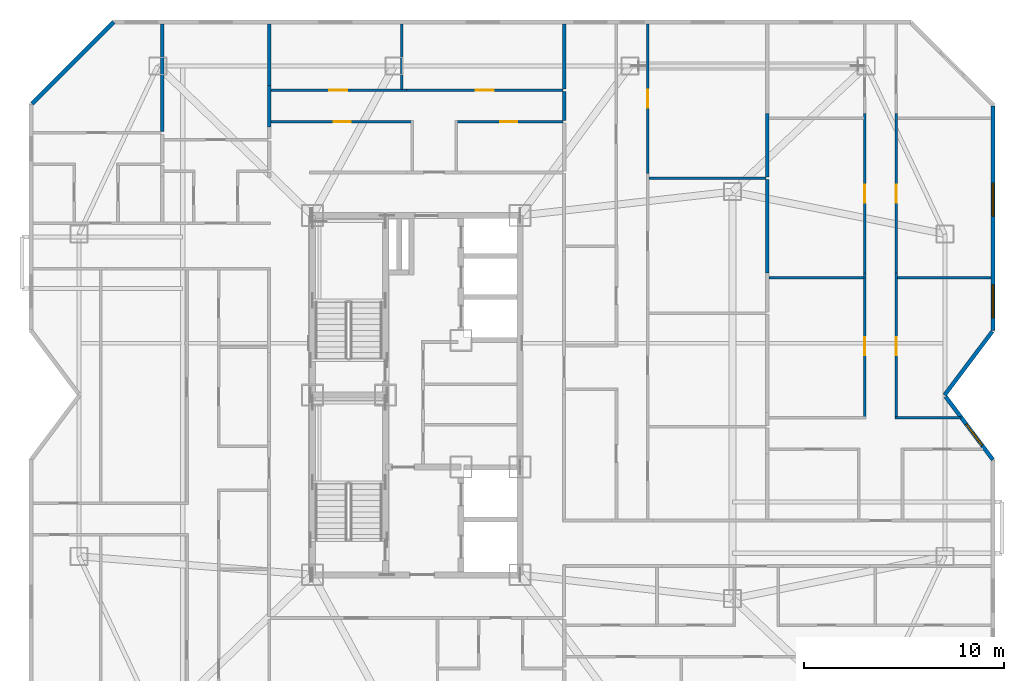
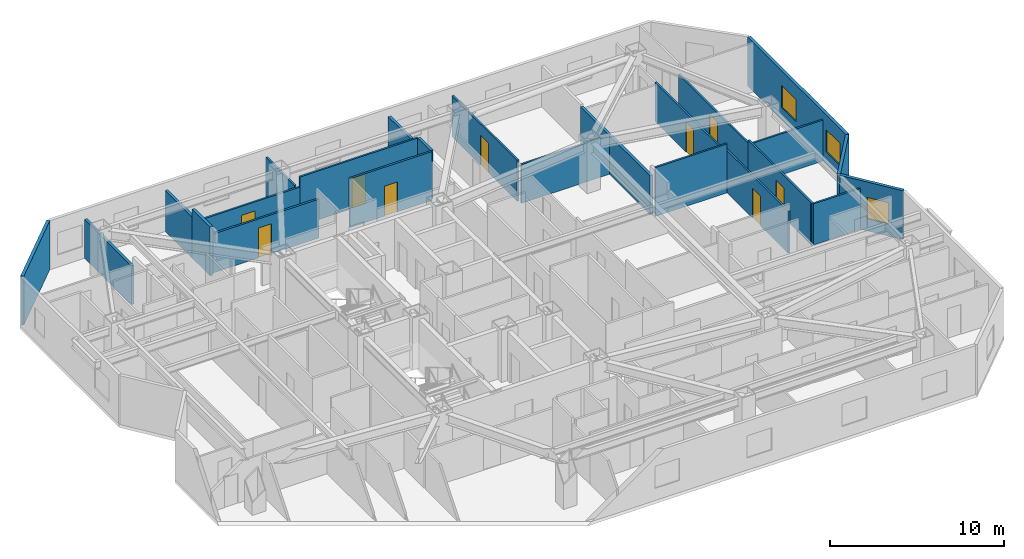
# One storey, part 10 of 12: 25 walls, 9 doors, 3 windows, 12 openings.
"""IFC4 building model written with IfcOpenShell, lengths in metres."""

from ifc_helpers import new_model, si_unit, direction, frame, frame_2d, origin, place, context, subcontext, project, spatial, rectangle, extrude, material, layer, layer_set, type_object, element, fill, save


model = new_model("IFC4")

# Units and contexts
model_context = context("Model", 3, precision=1e-05, world=origin(), true_north=direction((0.0, 1.0)))
body_context = subcontext(model_context, "Body", "Model", "MODEL_VIEW")
ifc_project = project(units=[si_unit("LENGTHUNIT", "METRE"), si_unit("AREAUNIT", "SQUARE_METRE"), si_unit("VOLUMEUNIT", "CUBIC_METRE"), si_unit("PLANEANGLEUNIT", "RADIAN"), si_unit("MASSUNIT", "GRAM", prefix="KILO")], contexts=[model_context])

# Site, building, storey
site_placement = place(None, origin())
site = spatial("IfcSite", under=ifc_project, at=site_placement, CompositionType="ELEMENT")
building_placement = place(site_placement, origin())
building = spatial("IfcBuilding", under=site, at=building_placement, Name="Khamvora Tower", CompositionType="ELEMENT")
storey_placement = place(building_placement, frame((0.0, 0.0, 188.75)))
storey = spatial("IfcBuildingStorey", under=building, at=storey_placement, Name="L48", CompositionType="ELEMENT", Elevation=188.75)

# Walls
ifc_material_1 = material(Name="Acoustic Double-Stud Fire Wall", Category="gypsum")
ifc_layer_1 = layer(ifc_material_1, 0.179931640625)
ifc_layer_set_1 = layer_set([ifc_layer_1], Name="Acoustic Double-Stud Fire Wall")
wall_type_1 = type_object("IfcWallType", Name="WAL-CORR-180", PredefinedType="STANDARD", material=ifc_layer_set_1)
wall_1_placement = place(storey_placement, frame((21.47509765625, 46.60791015625, 0.0), z_axis=(0.0, 0.0, 1.0), x_axis=(0.0, -1.0, 0.0)))
element("IfcWall", 1, at=wall_1_placement, inside=storey, type_object=wall_type_1, Name="L48 interior partition wall 072", PredefinedType="STANDARD", context=body_context, shape_type="SweptSolid", body=[
    extrude(rectangle(XDim=5.39599609375, YDim=0.179931640625, at=frame_2d((2.697998046875, 0.0))), origin(), (0.0, 0.0, 1.0), 2.72509765625),
])
wall_2_placement = place(storey_placement, frame((26.8349609375, 43.52392578125, 0.0), z_axis=(0.0, 0.0, 1.0), x_axis=(0.0, -1.0, 0.0)))
element("IfcWall", 2, at=wall_2_placement, inside=storey, type_object=wall_type_1, Name="L48 interior partition wall 080", PredefinedType="STANDARD", context=body_context, shape_type="SweptSolid", body=[
    extrude(rectangle(XDim=2.077880859375, YDim=0.179931640625, at=frame_2d((1.0390625, 0.0))), origin(), (0.0, 0.0, 1.0), 3.429931640625),
])
wall_3_placement = place(storey_placement, frame((26.8349609375, 46.60791015625, 0.0), z_axis=(0.0, 0.0, 1.0), x_axis=(0.0, -1.0, 0.0)))
element("IfcWall", 3, at=wall_3_placement, inside=storey, type_object=wall_type_1, Name="L48 interior partition wall 082", PredefinedType="STANDARD", context=body_context, shape_type="SweptSolid", body=[
    extrude(rectangle(XDim=3.083984375, YDim=0.179931640625, at=frame_2d((1.5419921875, 0.0))), origin(), (0.0, 0.0, 1.0), 2.8759765625),
])
wall_4_placement = place(storey_placement, frame((41.614990234375, 43.2099609375, 0.0), z_axis=(0.0, 0.0, 1.0), x_axis=(0.0, -1.0, 0.0)))
element("IfcWall", 4, at=wall_4_placement, inside=storey, type_object=wall_type_1, Name="L48 interior partition wall 099", PredefinedType="STANDARD", context=body_context, shape_type="SweptSolid", body=[
    extrude(rectangle(XDim=1.449951171875, YDim=0.179931640625, at=frame_2d((0.72509765625, 0.0))), origin(), (0.0, 0.0, 1.0), 3.429931640625),
])
wall_5_placement = place(storey_placement, frame((41.614990234375, 46.60791015625, 0.0), z_axis=(0.0, 0.0, 1.0), x_axis=(0.0, -1.0, 0.0)))
element("IfcWall", 5, at=wall_5_placement, inside=storey, type_object=wall_type_1, Name="L48 interior partition wall 102", PredefinedType="STANDARD", context=body_context, shape_type="SweptSolid", body=[
    extrude(rectangle(XDim=3.267822265625, YDim=0.179931640625, at=frame_2d((1.6337890625, 0.0))), origin(), (0.0, 0.0, 1.0), 2.8759765625),
])
wall_6_placement = place(storey_placement, frame((51.784912109375, 38.800048828125, 0.0), z_axis=(0.0, 0.0, 1.0), x_axis=(0.0, -1.0, 0.0)))
element("IfcWall", 6, at=wall_6_placement, inside=storey, type_object=wall_type_1, Name="L48 interior partition wall 136", PredefinedType="STANDARD", context=body_context, shape_type="SweptSolid", body=[
    extrude(rectangle(XDim=4.674072265625, YDim=0.179931640625, at=frame_2d((2.3369140625, 0.0))), origin(), (0.0, 0.0, 1.0), 2.72509765625),
])
wall_7_placement = place(storey_placement, frame((51.784912109375, 42.1220703125, 0.0), z_axis=(0.0, 0.0, 1.0), x_axis=(0.0, -1.0, 0.0)))
element("IfcWall", 7, at=wall_7_placement, inside=storey, type_object=wall_type_1, Name="L48 interior partition wall 137", PredefinedType="STANDARD", context=body_context, shape_type="SweptSolid", body=[
    extrude(rectangle(XDim=3.192138671875, YDim=0.179931640625, at=frame_2d((1.59619140625, 0.0))), origin(), (0.0, 0.0, 1.0), 2.72509765625),
])
ifc_material_2 = material(Name="Precast concrete C40/50", Category="concrete")
ifc_layer_2 = layer(ifc_material_2, 0.199951171875)
ifc_layer_set_2 = layer_set([ifc_layer_2], Name="Precast concrete C40/50")
wall_type_2 = type_object("IfcWallType", Name="WAL-EXT-200", PredefinedType="STANDARD", material=ifc_layer_set_2)
wall_8_placement = place(storey_placement, frame((14.945068359375, 42.60400390625, 0.0), z_axis=(0.0, 0.0, 1.0), x_axis=(0.707106781187, 0.707106781187, 0.0)))
element("IfcWall", 8, at=wall_8_placement, inside=storey, type_object=wall_type_2, Name="L48 exterior facade wall 06.1", PredefinedType="STANDARD", context=body_context, shape_type="SweptSolid", body=[
    extrude(rectangle(XDim=5.79248046875, YDim=0.199951171875, at=frame_2d((2.896240234375, 0.0))), origin(), (0.0, 0.0, 1.0), 3.429931640625),
])

# Wall, openings, windows
wall_9_placement = place(storey_placement, frame((63.10009765625, 42.49609375, 0.0), z_axis=(0.0, 0.0, 1.0), x_axis=(0.0, -1.0, 0.0)))
wall_9 = element("IfcWall", 9, at=wall_9_placement, inside=storey, type_object=wall_type_2, Name="L48 exterior facade wall 09.1", PredefinedType="STANDARD", context=body_context, shape_type="SweptSolid", body=[
    extrude(rectangle(XDim=11.26318359375, YDim=0.199951171875, at=frame_2d((5.631591796875, 0.0))), origin(), (0.0, 0.0, 1.0), 3.429931640625),
])
opening_1_placement = place(wall_9_placement, frame((8.97412109375, 0.0, 0.85009765625)))
opening_1 = element("IfcOpeningElement", 10, at=opening_1_placement, cuts=wall_9, Name="Opening WN-06", PredefinedType="OPENING", context=body_context, shape_type="SweptSolid", body=[
    extrude(rectangle(XDim=1.64990234375, YDim=1.550048828125, at=frame_2d((0.824951171875, 0.77490234375))), frame((0.0, 0.10986328125, 0.0), z_axis=(0.0, -1.0, 0.0), x_axis=(1.0, 0.0, 0.0)), (0.0, 0.0, 1.0), 0.219970703125),
])
opening_2_placement = place(wall_9_placement, frame((3.876953125, 0.0, 0.85009765625)))
opening_2 = element("IfcOpeningElement", 11, at=opening_2_placement, cuts=wall_9, Name="Opening WN-06", PredefinedType="OPENING", context=body_context, shape_type="SweptSolid", body=[
    extrude(rectangle(XDim=1.64990234375, YDim=1.550048828125, at=frame_2d((0.824951171875, 0.77490234375))), frame((0.0, 0.10986328125, 0.0), z_axis=(0.0, -1.0, 0.0), x_axis=(1.0, 0.0, 0.0)), (0.0, 0.0, 1.0), 0.219970703125),
])
ifc_material_3 = material(Name="Low-E Laminated Double Glazing", Category="glass")
window_type_1 = type_object("IfcWindowType", Name="WIN-VIS-1650x1550", PartitioningType="SINGLE_PANEL", PredefinedType="WINDOW", material=ifc_material_3)
window_1_placement = place(opening_1_placement, origin())
window_1 = element("IfcWindow", 12, at=window_1_placement, inside=storey, type_object=window_type_1, Name="L48 vision window 09.1.01", OverallHeight=1.550048828125, OverallWidth=1.64990234375, PartitioningType="SINGLE_PANEL", PredefinedType="WINDOW", context=body_context, shape_type="SweptSolid", body=[
    extrude(rectangle(XDim=1.64990234375, YDim=1.550048828125, at=frame_2d((0.824951171875, 0.77490234375))), frame((0.0, 0.030029296875, 0.0), z_axis=(0.0, -1.0, 0.0), x_axis=(1.0, 0.0, 0.0)), (0.0, 0.0, 1.0), 0.06005859375),
])
fill(opening_1, window_1)
window_2_placement = place(opening_2_placement, origin())
window_2 = element("IfcWindow", 13, at=window_2_placement, inside=storey, type_object=window_type_1, Name="L48 vision window 09.1.02", OverallHeight=1.550048828125, OverallWidth=1.64990234375, PartitioningType="SINGLE_PANEL", PredefinedType="WINDOW", context=body_context, shape_type="SweptSolid", body=[
    extrude(rectangle(XDim=1.64990234375, YDim=1.550048828125, at=frame_2d((0.824951171875, 0.77490234375))), frame((0.0, 0.030029296875, 0.0), z_axis=(0.0, -1.0, 0.0), x_axis=(1.0, 0.0, 0.0)), (0.0, 0.0, 1.0), 0.06005859375),
])
fill(opening_2, window_2)

# Wall
wall_10_placement = place(storey_placement, frame((63.069091796875, 31.19091796875, 0.0), z_axis=(0.0, 0.0, 1.0), x_axis=(-0.600137081448, -0.799897170561, 0.0)))
element("IfcWall", 14, at=wall_10_placement, inside=storey, type_object=wall_type_2, Name="L48 exterior facade wall 10.1", PredefinedType="STANDARD", context=body_context, shape_type="SweptSolid", body=[
    extrude(rectangle(XDim=3.9892578125, YDim=0.199951171875, at=frame_2d((1.99462890625, 0.0))), origin(), (0.0, 0.0, 1.0), 3.429931640625),
])

# Wall, opening, window
wall_11_placement = place(storey_placement, frame((60.72705078125, 27.930908203125, 0.0), z_axis=(0.0, 0.0, 1.0), x_axis=(0.600029630681, -0.799977776132, 0.0)))
wall_11 = element("IfcWall", 15, at=wall_11_placement, inside=storey, type_object=wall_type_2, Name="L48 exterior facade wall 11.1", PredefinedType="STANDARD", context=body_context, shape_type="SweptSolid", body=[
    extrude(rectangle(XDim=3.954833984375, YDim=0.199951171875, at=frame_2d((1.9775390625, 0.0))), origin(), (0.0, 0.0, 1.0), 3.429931640625),
])
opening_3_placement = place(wall_11_placement, frame((1.721923828125, 0.0, 0.85009765625)))
opening_3 = element("IfcOpeningElement", 16, at=opening_3_placement, cuts=wall_11, Name="Opening WN-07", PredefinedType="OPENING", context=body_context, shape_type="SweptSolid", body=[
    extrude(rectangle(XDim=1.35009765625, YDim=1.5, at=frame_2d((0.675048828125, 0.75))), frame((0.0, 0.10986328125, 0.0), z_axis=(0.0, -1.0, 0.0), x_axis=(1.0, 0.0, 0.0)), (0.0, 0.0, 1.0), 0.219970703125),
])
window_type_2 = type_object("IfcWindowType", Name="WIN-VIS-1350x1500", PartitioningType="SINGLE_PANEL", PredefinedType="WINDOW", material=ifc_material_3)
window_3_placement = place(opening_3_placement, origin())
window_3 = element("IfcWindow", 17, at=window_3_placement, inside=storey, type_object=window_type_2, Name="L48 vision window 11.1.01", OverallHeight=1.5, OverallWidth=1.35009765625, PartitioningType="SINGLE_PANEL", PredefinedType="WINDOW", context=body_context, shape_type="SweptSolid", body=[
    extrude(rectangle(XDim=1.35009765625, YDim=1.5, at=frame_2d((0.675048828125, 0.75))), frame((0.0, 0.030029296875, 0.0), z_axis=(0.0, -1.0, 0.0), x_axis=(1.0, 0.0, 0.0)), (0.0, 0.0, 1.0), 0.06005859375),
])
fill(opening_3, window_3)

# Wall, opening, door
ifc_material_4 = material(Name="Gypsum Plasterboard Partition", Category="gypsum")
ifc_layer_3 = layer(ifc_material_4, 0.1201171875)
ifc_layer_set_3 = layer_set([ifc_layer_3], Name="Gypsum Plasterboard Partition")
wall_type_3 = type_object("IfcWallType", Name="WAL-PART-120", PredefinedType="PARTITIONING", material=ifc_layer_set_3)
wall_12_placement = place(storey_placement, frame((26.9169921875, 43.27490234375, 0.0), z_axis=(0.0, 0.0, 1.0), x_axis=(1.0, 0.0, 0.0)))
wall_12 = element("IfcWall", 18, at=wall_12_placement, inside=storey, type_object=wall_type_3, Name="L48 interior partition wall 097", PredefinedType="PARTITIONING", context=body_context, shape_type="SweptSolid", body=[
    extrude(rectangle(XDim=6.802001953125, YDim=0.1201171875, at=frame_2d((3.40087890625, 0.0))), origin(), (0.0, 0.0, 1.0), 2.72509765625),
])
opening_4_placement = place(wall_12_placement, frame((2.929931640625, 0.0, 0.0)))
opening_4 = element("IfcOpeningElement", 19, at=opening_4_placement, cuts=wall_12, Name="Opening D-RM1", PredefinedType="OPENING", context=body_context, shape_type="SweptSolid", body=[
    extrude(rectangle(XDim=0.89990234375, YDim=2.10009765625, at=frame_2d((0.449951171875, 1.050048828125))), frame((0.0, 0.070068359375, 0.0), z_axis=(0.0, -1.0, 0.0), x_axis=(1.0, 0.0, 0.0)), (0.0, 0.0, 1.0), 0.14013671875),
])
ifc_material_5 = material(Name="Powder-Coated Steel and Hardwood Leaf", Category="steel")
door_type_1 = type_object("IfcDoorType", Name="DOR-ROOM-900", OperationType="NOTDEFINED", PredefinedType="DOOR", material=ifc_material_5)
door_1_placement = place(opening_4_placement, origin())
door_1 = element("IfcDoor", 20, at=door_1_placement, inside=storey, type_object=door_type_1, Name="L48 interior door 48NAH-48NAL", OperationType="SINGLE_SWING_RIGHT", OverallHeight=2.10009765625, OverallWidth=0.89990234375, PredefinedType="DOOR", context=body_context, shape_type="SweptSolid", body=[
    extrude(rectangle(XDim=0.89990234375, YDim=2.10009765625, at=frame_2d((0.449951171875, 1.050048828125))), frame((0.0, 0.02490234375, 0.0), z_axis=(0.0, -1.0, 0.0), x_axis=(1.0, 0.0, 0.0)), (0.0, 0.0, 1.0), 0.050048828125),
])
fill(opening_4, door_1)

wall_13_placement = place(storey_placement, frame((33.718994140625, 43.27490234375, 0.0), z_axis=(0.0, 0.0, 1.0), x_axis=(1.0, 0.0, 0.0)))
wall_13 = element("IfcWall", 21, at=wall_13_placement, inside=storey, type_object=wall_type_3, Name="L48 interior partition wall 098", PredefinedType="PARTITIONING", context=body_context, shape_type="SweptSolid", body=[
    extrude(rectangle(XDim=7.8310546875, YDim=0.1201171875, at=frame_2d((3.91552734375, 0.0))), origin(), (0.0, 0.0, 1.0), 3.429931640625),
])
opening_5_placement = place(wall_13_placement, frame((3.466064453125, 0.0, 0.0)))
opening_5 = element("IfcOpeningElement", 22, at=opening_5_placement, cuts=wall_13, Name="Opening D-RM1", PredefinedType="OPENING", context=body_context, shape_type="SweptSolid", body=[
    extrude(rectangle(XDim=0.89990234375, YDim=2.10009765625, at=frame_2d((0.449951171875, 1.050048828125))), frame((0.0, 0.070068359375, 0.0), z_axis=(0.0, -1.0, 0.0), x_axis=(1.0, 0.0, 0.0)), (0.0, 0.0, 1.0), 0.14013671875),
])
door_2_placement = place(opening_5_placement, origin())
door_2 = element("IfcDoor", 23, at=door_2_placement, inside=storey, type_object=door_type_1, Name="L48 interior door 48NAH-48NAR2", OperationType="SINGLE_SWING_LEFT", OverallHeight=2.10009765625, OverallWidth=0.89990234375, PredefinedType="DOOR", context=body_context, shape_type="SweptSolid", body=[
    extrude(rectangle(XDim=0.89990234375, YDim=2.10009765625, at=frame_2d((0.449951171875, 1.050048828125))), frame((0.0, 0.02490234375, 0.0), z_axis=(0.0, -1.0, 0.0), x_axis=(1.0, 0.0, 0.0)), (0.0, 0.0, 1.0), 0.050048828125),
])
fill(opening_5, door_2)

# Wall
wall_14_placement = place(storey_placement, frame((33.469970703125, 46.60791015625, 0.0), z_axis=(0.0, 0.0, 1.0), x_axis=(0.0, -1.0, 0.0)))
element("IfcWall", 24, at=wall_14_placement, inside=storey, type_object=wall_type_3, Name="L48 interior partition wall 101", PredefinedType="PARTITIONING", context=body_context, shape_type="SweptSolid", body=[
    extrude(rectangle(XDim=3.27880859375, YDim=0.1201171875, at=frame_2d((1.639404296875, 0.0))), origin(), (0.0, 0.0, 1.0), 2.8759765625),
])

# Wall, opening, door
wall_15_placement = place(storey_placement, frame((45.81201171875, 46.60791015625, 0.0), z_axis=(0.0, 0.0, 1.0), x_axis=(0.0, -1.0, 0.0)))
wall_15 = element("IfcWall", 25, at=wall_15_placement, inside=storey, type_object=wall_type_3, Name="L48 interior partition wall 127", PredefinedType="PARTITIONING", context=body_context, shape_type="SweptSolid", body=[
    extrude(rectangle(XDim=7.493896484375, YDim=0.1201171875, at=frame_2d((3.7470703125, 0.0))), origin(), (0.0, 0.0, 1.0), 2.8759765625),
])
opening_6_placement = place(wall_15_placement, frame((3.297119140625, 0.0, 0.0)))
opening_6 = element("IfcOpeningElement", 26, at=opening_6_placement, cuts=wall_15, Name="Opening D-RM1", PredefinedType="OPENING", context=body_context, shape_type="SweptSolid", body=[
    extrude(rectangle(XDim=0.89990234375, YDim=2.10009765625, at=frame_2d((0.449951171875, 1.050048828125))), frame((0.0, 0.070068359375, 0.0), z_axis=(0.0, -1.0, 0.0), x_axis=(1.0, 0.0, 0.0)), (0.0, 0.0, 1.0), 0.14013671875),
])
door_3_placement = place(opening_6_placement, origin())
door_3 = element("IfcDoor", 27, at=door_3_placement, inside=storey, type_object=door_type_1, Name="L48 interior door 48EBH-48EBR4", OperationType="SINGLE_SWING_RIGHT", OverallHeight=2.10009765625, OverallWidth=0.89990234375, PredefinedType="DOOR", context=body_context, shape_type="SweptSolid", body=[
    extrude(rectangle(XDim=0.89990234375, YDim=2.10009765625, at=frame_2d((0.449951171875, 1.050048828125))), frame((0.0, 0.02490234375, 0.0), z_axis=(0.0, -1.0, 0.0), x_axis=(1.0, 0.0, 0.0)), (0.0, 0.0, 1.0), 0.050048828125),
])
fill(opening_6, door_3)

# Wall
wall_16_placement = place(storey_placement, frame((45.865966796875, 38.864990234375, 0.0), z_axis=(0.0, 0.0, 1.0), x_axis=(1.0, 0.0, 0.0)))
element("IfcWall", 28, at=wall_16_placement, inside=storey, type_object=wall_type_3, Name="L48 interior partition wall 134", PredefinedType="PARTITIONING", context=body_context, shape_type="SweptSolid", body=[
    extrude(rectangle(XDim=5.85400390625, YDim=0.1201171875, at=frame_2d((2.927001953125, 0.0))), origin(), (0.0, 0.0, 1.0), 2.72509765625),
])

# Wall, opening, door
wall_17_placement = place(storey_placement, frame((56.68505859375, 26.81005859375, 0.0), z_axis=(0.0, 0.0, 1.0), x_axis=(0.0, 1.0, 0.0)))
wall_17 = element("IfcWall", 29, at=wall_17_placement, inside=storey, type_object=wall_type_3, Name="L48 interior partition wall 144", PredefinedType="PARTITIONING", context=body_context, shape_type="SweptSolid", body=[
    extrude(rectangle(XDim=7.31591796875, YDim=0.1201171875, at=frame_2d((3.657958984375, 0.0))), origin(), (0.0, 0.0, 1.0), 2.95703125),
])
opening_7_placement = place(wall_17_placement, frame((3.18701171875, 0.0, 0.0)))
opening_7 = element("IfcOpeningElement", 30, at=opening_7_placement, cuts=wall_17, Name="Opening D-RM1", PredefinedType="OPENING", context=body_context, shape_type="SweptSolid", body=[
    extrude(rectangle(XDim=0.89990234375, YDim=2.10009765625, at=frame_2d((0.449951171875, 1.050048828125))), frame((0.0, 0.070068359375, 0.0), z_axis=(0.0, -1.0, 0.0), x_axis=(1.0, 0.0, 0.0)), (0.0, 0.0, 1.0), 0.14013671875),
])
door_4_placement = place(opening_7_placement, origin())
door_4 = element("IfcDoor", 31, at=door_4_placement, inside=storey, type_object=door_type_1, Name="L48 interior door 48ECH-48ECL", OperationType="SINGLE_SWING_LEFT", OverallHeight=2.10009765625, OverallWidth=0.89990234375, PredefinedType="DOOR", context=body_context, shape_type="SweptSolid", body=[
    extrude(rectangle(XDim=0.89990234375, YDim=2.10009765625, at=frame_2d((0.449951171875, 1.050048828125))), frame((0.0, 0.02490234375, 0.0), z_axis=(0.0, -1.0, 0.0), x_axis=(1.0, 0.0, 0.0)), (0.0, 0.0, 1.0), 0.050048828125),
])
fill(opening_7, door_4)

wall_18_placement = place(storey_placement, frame((56.68505859375, 34.1259765625, 0.0), z_axis=(0.0, 0.0, 1.0), x_axis=(0.0, 1.0, 0.0)))
wall_18 = element("IfcWall", 32, at=wall_18_placement, inside=storey, type_object=wall_type_3, Name="L48 interior partition wall 145", PredefinedType="PARTITIONING", context=body_context, shape_type="SweptSolid", body=[
    extrude(rectangle(XDim=7.99609375, YDim=0.1201171875, at=frame_2d((3.998046875, 0.0))), origin(), (0.0, 0.0, 1.0), 2.72509765625),
])
opening_8_placement = place(wall_18_placement, frame((3.527099609375, 0.0, 0.0)))
opening_8 = element("IfcOpeningElement", 33, at=opening_8_placement, cuts=wall_18, Name="Opening D-RM1", PredefinedType="OPENING", context=body_context, shape_type="SweptSolid", body=[
    extrude(rectangle(XDim=0.89990234375, YDim=2.10009765625, at=frame_2d((0.449951171875, 1.050048828125))), frame((0.0, 0.070068359375, 0.0), z_axis=(0.0, -1.0, 0.0), x_axis=(1.0, 0.0, 0.0)), (0.0, 0.0, 1.0), 0.14013671875),
])
door_5_placement = place(opening_8_placement, origin())
door_5 = element("IfcDoor", 34, at=door_5_placement, inside=storey, type_object=door_type_1, Name="L48 interior door 48ECH-48ECR2", OperationType="SINGLE_SWING_RIGHT", OverallHeight=2.10009765625, OverallWidth=0.89990234375, PredefinedType="DOOR", context=body_context, shape_type="SweptSolid", body=[
    extrude(rectangle(XDim=0.89990234375, YDim=2.10009765625, at=frame_2d((0.449951171875, 1.050048828125))), frame((0.0, 0.02490234375, 0.0), z_axis=(0.0, -1.0, 0.0), x_axis=(1.0, 0.0, 0.0)), (0.0, 0.0, 1.0), 0.050048828125),
])
fill(opening_8, door_5)

wall_19_placement = place(storey_placement, frame((58.2548828125, 34.1259765625, 0.0), z_axis=(0.0, 0.0, 1.0), x_axis=(0.0, -1.0, 0.0)))
wall_19 = element("IfcWall", 35, at=wall_19_placement, inside=storey, type_object=wall_type_3, Name="L48 interior partition wall 147", PredefinedType="PARTITIONING", context=body_context, shape_type="SweptSolid", body=[
    extrude(rectangle(XDim=7.31591796875, YDim=0.1201171875, at=frame_2d((3.657958984375, 0.0))), origin(), (0.0, 0.0, 1.0), 2.95703125),
])
opening_9_placement = place(wall_19_placement, frame((3.22900390625, 0.0, 0.0)))
opening_9 = element("IfcOpeningElement", 36, at=opening_9_placement, cuts=wall_19, Name="Opening D-RM1", PredefinedType="OPENING", context=body_context, shape_type="SweptSolid", body=[
    extrude(rectangle(XDim=0.89990234375, YDim=2.10009765625, at=frame_2d((0.449951171875, 1.050048828125))), frame((0.0, 0.070068359375, 0.0), z_axis=(0.0, -1.0, 0.0), x_axis=(1.0, 0.0, 0.0)), (0.0, 0.0, 1.0), 0.14013671875),
])
door_6_placement = place(opening_9_placement, origin())
door_6 = element("IfcDoor", 37, at=door_6_placement, inside=storey, type_object=door_type_1, Name="L48 interior door 48ECH-48ECR4", OperationType="SINGLE_SWING_LEFT", OverallHeight=2.10009765625, OverallWidth=0.89990234375, PredefinedType="DOOR", context=body_context, shape_type="SweptSolid", body=[
    extrude(rectangle(XDim=0.89990234375, YDim=2.10009765625, at=frame_2d((0.449951171875, 1.050048828125))), frame((0.0, 0.02490234375, 0.0), z_axis=(0.0, -1.0, 0.0), x_axis=(1.0, 0.0, 0.0)), (0.0, 0.0, 1.0), 0.050048828125),
])
fill(opening_9, door_6)

# Wall
wall_20_placement = place(storey_placement, frame((58.18994140625, 26.875, 0.0), z_axis=(0.0, 0.0, 1.0), x_axis=(1.0, 0.0, 0.0)))
element("IfcWall", 38, at=wall_20_placement, inside=storey, type_object=wall_type_3, Name="L48 interior partition wall 148", PredefinedType="PARTITIONING", context=body_context, shape_type="SweptSolid", body=[
    extrude(rectangle(XDim=3.302001953125, YDim=0.1201171875, at=frame_2d((1.65087890625, 0.0))), origin(), (0.0, 0.0, 1.0), 2.8759765625),
])

# Wall, opening, door
wall_21_placement = place(storey_placement, frame((58.2548828125, 42.1220703125, 0.0), z_axis=(0.0, 0.0, 1.0), x_axis=(0.0, -1.0, 0.0)))
wall_21 = element("IfcWall", 39, at=wall_21_placement, inside=storey, type_object=wall_type_3, Name="L48 interior partition wall 149", PredefinedType="PARTITIONING", context=body_context, shape_type="SweptSolid", body=[
    extrude(rectangle(XDim=7.99609375, YDim=0.1201171875, at=frame_2d((3.998046875, 0.0))), origin(), (0.0, 0.0, 1.0), 2.72509765625),
])
opening_10_placement = place(wall_21_placement, frame((3.569091796875, 0.0, 0.0)))
opening_10 = element("IfcOpeningElement", 40, at=opening_10_placement, cuts=wall_21, Name="Opening D-RM1", PredefinedType="OPENING", context=body_context, shape_type="SweptSolid", body=[
    extrude(rectangle(XDim=0.89990234375, YDim=2.10009765625, at=frame_2d((0.449951171875, 1.050048828125))), frame((0.0, 0.070068359375, 0.0), z_axis=(0.0, -1.0, 0.0), x_axis=(1.0, 0.0, 0.0)), (0.0, 0.0, 1.0), 0.14013671875),
])
door_7_placement = place(opening_10_placement, origin())
door_7 = element("IfcDoor", 41, at=door_7_placement, inside=storey, type_object=door_type_1, Name="L48 interior door 48ECH-48ECR5", OperationType="SINGLE_SWING_RIGHT", OverallHeight=2.10009765625, OverallWidth=0.89990234375, PredefinedType="DOOR", context=body_context, shape_type="SweptSolid", body=[
    extrude(rectangle(XDim=0.89990234375, YDim=2.10009765625, at=frame_2d((0.449951171875, 1.050048828125))), frame((0.0, 0.02490234375, 0.0), z_axis=(0.0, -1.0, 0.0), x_axis=(1.0, 0.0, 0.0)), (0.0, 0.0, 1.0), 0.050048828125),
])
fill(opening_10, door_7)

# Walls
wall_22_placement = place(storey_placement, frame((51.866943359375, 33.876953125, 0.0), z_axis=(0.0, 0.0, 1.0), x_axis=(1.0, 0.0, 0.0)))
element("IfcWall", 42, at=wall_22_placement, inside=storey, type_object=wall_type_3, Name="L48 interior partition wall 151", PredefinedType="PARTITIONING", context=body_context, shape_type="SweptSolid", body=[
    extrude(rectangle(XDim=4.76416015625, YDim=0.1201171875, at=frame_2d((2.382080078125, 0.0))), origin(), (0.0, 0.0, 1.0), 3.429931640625),
])
wall_23_placement = place(storey_placement, frame((58.30908203125, 33.876953125, 0.0), z_axis=(0.0, 0.0, 1.0), x_axis=(1.0, 0.0, 0.0)))
element("IfcWall", 43, at=wall_23_placement, inside=storey, type_object=wall_type_3, Name="L48 interior partition wall 153", PredefinedType="PARTITIONING", context=body_context, shape_type="SweptSolid", body=[
    extrude(rectangle(XDim=4.698974609375, YDim=0.1201171875, at=frame_2d((2.349609375, 0.0))), origin(), (0.0, 0.0, 1.0), 2.8759765625),
])

# Wall, opening, door
ifc_material_6 = material(Name="Moisture-Resistant Plasterboard Partition", Category="gypsum")
ifc_layer_4 = layer(ifc_material_6, 0.135009765625)
ifc_layer_set_4 = layer_set([ifc_layer_4], Name="Moisture-Resistant Plasterboard Partition")
wall_type_4 = type_object("IfcWallType", Name="WAL-WET-135", PredefinedType="PARTITIONING", material=ifc_layer_set_4)
wall_24_placement = place(storey_placement, frame((41.550048828125, 41.695068359375, 0.0), z_axis=(0.0, 0.0, 1.0), x_axis=(-1.0, 0.0, 0.0)))
wall_24 = element("IfcWall", 44, at=wall_24_placement, inside=storey, type_object=wall_type_4, Name="L48 interior partition wall 093", PredefinedType="PARTITIONING", context=body_context, shape_type="SweptSolid", body=[
    extrude(rectangle(XDim=5.416015625, YDim=0.135009765625, at=frame_2d((2.7080078125, 0.0))), origin(), (0.0, 0.0, 1.0), 3.429931640625),
])
opening_11_placement = place(wall_24_placement, frame((2.282958984375, 0.0, 0.0)))
opening_11 = element("IfcOpeningElement", 45, at=opening_11_placement, cuts=wall_24, Name="Opening D-WC1", PredefinedType="OPENING", context=body_context, shape_type="SweptSolid", body=[
    extrude(rectangle(XDim=0.85009765625, YDim=2.10009765625, at=frame_2d((0.425048828125, 1.050048828125))), frame((0.0, 0.077392578125, 0.0), z_axis=(0.0, -1.0, 0.0), x_axis=(1.0, 0.0, 0.0)), (0.0, 0.0, 1.0), 0.155029296875),
])
door_type_2 = type_object("IfcDoorType", Name="DOR-WET-850", OperationType="NOTDEFINED", PredefinedType="DOOR", material=ifc_material_5)
door_8_placement = place(opening_11_placement, origin())
door_8 = element("IfcDoor", 46, at=door_8_placement, inside=storey, type_object=door_type_2, Name="L48 interior door 48NAH-48NAB", OperationType="SINGLE_SWING_RIGHT", OverallHeight=2.10009765625, OverallWidth=0.85009765625, PredefinedType="DOOR", context=body_context, shape_type="SweptSolid", body=[
    extrude(rectangle(XDim=0.85009765625, YDim=2.10009765625, at=frame_2d((0.425048828125, 1.050048828125))), frame((0.0, 0.02490234375, 0.0), z_axis=(0.0, -1.0, 0.0), x_axis=(1.0, 0.0, 0.0)), (0.0, 0.0, 1.0), 0.050048828125),
])
fill(opening_11, door_8)

wall_25_placement = place(storey_placement, frame((34.06396484375, 41.695068359375, 0.0), z_axis=(0.0, 0.0, 1.0), x_axis=(-1.0, 0.0, 0.0)))
wall_25 = element("IfcWall", 47, at=wall_25_placement, inside=storey, type_object=wall_type_4, Name="L48 interior partition wall 096", PredefinedType="PARTITIONING", context=body_context, shape_type="SweptSolid", body=[
    extrude(rectangle(XDim=7.14697265625, YDim=0.135009765625, at=frame_2d((3.573486328125, 0.0))), origin(), (0.0, 0.0, 1.0), 2.72509765625),
])
opening_12_placement = place(wall_25_placement, frame((3.14892578125, 0.0, 0.0)))
opening_12 = element("IfcOpeningElement", 48, at=opening_12_placement, cuts=wall_25, Name="Opening D-RM2", PredefinedType="OPENING", context=body_context, shape_type="SweptSolid", body=[
    extrude(rectangle(XDim=0.85009765625, YDim=2.10009765625, at=frame_2d((0.425048828125, 1.050048828125))), frame((0.0, 0.077392578125, 0.0), z_axis=(0.0, -1.0, 0.0), x_axis=(1.0, 0.0, 0.0)), (0.0, 0.0, 1.0), 0.155029296875),
])
door_type_3 = type_object("IfcDoorType", Name="DOR-ROOM-850", OperationType="NOTDEFINED", PredefinedType="DOOR", material=ifc_material_5)
door_9_placement = place(opening_12_placement, origin())
door_9 = element("IfcDoor", 49, at=door_9_placement, inside=storey, type_object=door_type_3, Name="L48 interior door 48NAH-48NAK", OperationType="SINGLE_SWING_LEFT", OverallHeight=2.10009765625, OverallWidth=0.85009765625, PredefinedType="DOOR", context=body_context, shape_type="SweptSolid", body=[
    extrude(rectangle(XDim=0.85009765625, YDim=2.10009765625, at=frame_2d((0.425048828125, 1.050048828125))), frame((0.0, 0.02490234375, 0.0), z_axis=(0.0, -1.0, 0.0), x_axis=(1.0, 0.0, 0.0)), (0.0, 0.0, 1.0), 0.050048828125),
])
fill(opening_12, door_9)

save(model, "model.ifc")
